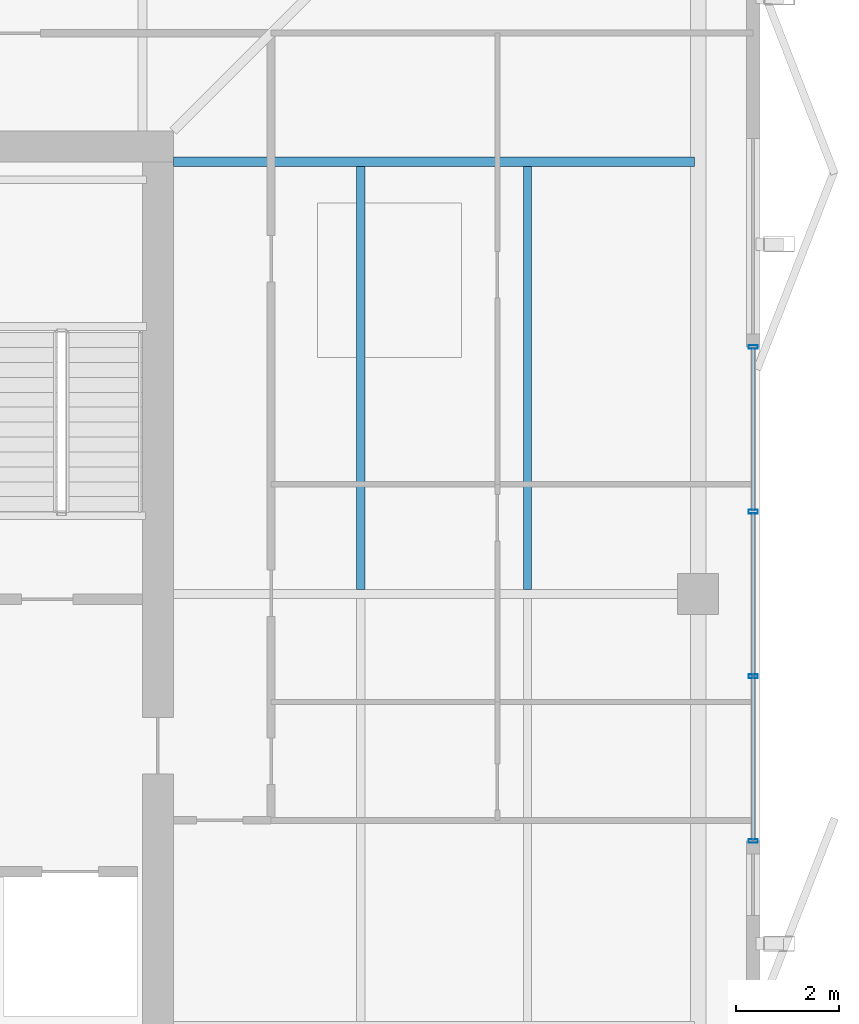
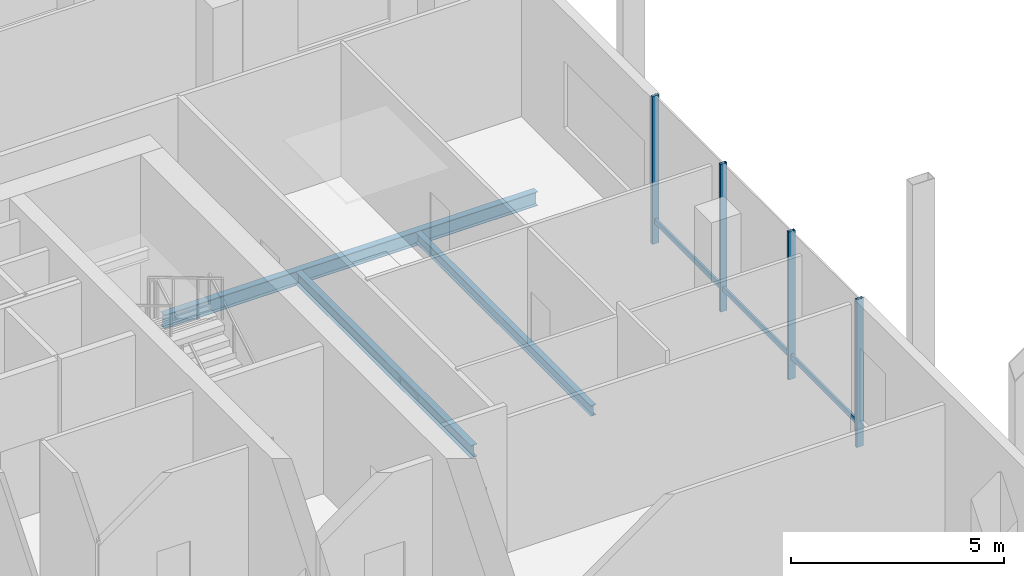
# One storey, part 7 of 15: 7 members, 3 beams, 1 element without a shape of its own.
"""IFC4 building model written with IfcOpenShell, lengths in metres."""

from ifc_helpers import new_model, si_unit, direction, frame, origin, origin_2d, place, context, subcontext, project, spatial, hollow_rectangle, i_section, extrude, material, layer, layer_set, material_profile, profile_set, type_object, element, aggregate, save


model = new_model("IFC4")

# Units and contexts
model_context = context("Model", 3, precision=1e-05, world=origin(), true_north=direction((0.0, 1.0)))
body_context = subcontext(model_context, "Body", "Model", "MODEL_VIEW")
ifc_project = project(units=[si_unit("LENGTHUNIT", "METRE"), si_unit("AREAUNIT", "SQUARE_METRE"), si_unit("VOLUMEUNIT", "CUBIC_METRE"), si_unit("PLANEANGLEUNIT", "RADIAN"), si_unit("MASSUNIT", "GRAM", prefix="KILO")], contexts=[model_context])

# Site, building, storey
site_placement = place(None, origin())
site = spatial("IfcSite", under=ifc_project, at=site_placement, CompositionType="ELEMENT")
building_placement = place(site_placement, origin())
building = spatial("IfcBuilding", under=site, at=building_placement, Name="Belovzor Exchange Tower", CompositionType="ELEMENT")
storey_placement = place(building_placement, frame((0.0, 0.0, 360.0)))
storey = spatial("IfcBuildingStorey", under=building, at=storey_placement, Name="L90", CompositionType="ELEMENT", Elevation=360.0)

# Beams
ifc_material_1 = material(Name="Steel S355", Category="steel")
ifc_material_profile_1 = material_profile(ifc_material_1, i_section(OverallWidth=0.169921875, OverallDepth=0.360107421875, WebThickness=0.008056640625, FlangeThickness=0.0126953125, at=origin_2d()))
ifc_profile_set_1 = profile_set([ifc_material_profile_1], Name="Steel S355")
beam_type_1 = type_object("IfcBeamType", Name="Secondary Infill Floor Joist IPE 360", PredefinedType="BEAM", material=ifc_profile_set_1)
beam_1_placement = place(storey_placement, frame((41.445068359375, 28.889892578125, -0.43994140625), z_axis=(0.0, 1.0, 0.0), x_axis=(-1.0, 0.0, 0.0)))
element("IfcBeam", 1, at=beam_1_placement, inside=storey, type_object=beam_type_1, Name="FJ-360 Secondary Infill Floor Joist IPE 360", PredefinedType="BEAM", context=body_context, shape_type="SweptSolid", body=[
    extrude(i_section(OverallWidth=0.169921875, OverallDepth=0.360107421875, WebThickness=0.008056640625, FlangeThickness=0.0126953125, at=origin_2d()), origin(), (0.0, 0.0, 1.0), 8.22021484375),
])
ifc_material_2 = material(Name="Steel S355", Category="steel")
ifc_material_profile_2 = material_profile(ifc_material_2, i_section(OverallWidth=0.14990234375, OverallDepth=0.300048828125, WebThickness=0.007080078125, FlangeThickness=0.0107421875, at=origin_2d()))
ifc_profile_set_2 = profile_set([ifc_material_profile_2], Name="Steel S355")
beam_type_2 = type_object("IfcBeamType", Name="Secondary Trim Floor Joist IPE 300", PredefinedType="BEAM", material=ifc_profile_set_2)
beam_2_placement = place(storey_placement, frame((44.68505859375, 28.889892578125, -0.409912109375), z_axis=(0.0, 1.0, 0.0), x_axis=(-1.0, 0.0, 0.0)))
element("IfcBeam", 2, at=beam_2_placement, inside=storey, type_object=beam_type_2, Name="FJ-300 Secondary Trim Floor Joist IPE 300", PredefinedType="BEAM", context=body_context, shape_type="SweptSolid", body=[
    extrude(i_section(OverallWidth=0.14990234375, OverallDepth=0.300048828125, WebThickness=0.007080078125, FlangeThickness=0.0107421875, at=origin_2d()), origin(), (0.0, 0.0, 1.0), 8.22021484375),
])

# Curtain wall, members
ifc_material_3 = material(Name="Anodised Aluminium Framing", Category="aluminium")
ifc_layer = layer(ifc_material_3, 0.169921875)
ifc_layer_set = layer_set([ifc_layer], Name="Anodised Aluminium Framing")
curtain_wall_type = type_object("IfcCurtainWallType", Name="Stepped Crown Faceted Lantern Curtain Wall", PredefinedType="NOTDEFINED", material=ifc_layer_set)
curtain_wall_placement = place(storey_placement, origin())
curtain_wall = element("IfcCurtainWall", 3, at=curtain_wall_placement, inside=storey, type_object=curtain_wall_type, Name="CW6 Stepped Crown Faceted Lantern Curtain Wall L90", PredefinedType="NOTDEFINED")
ifc_material_4 = material(Name="Steel S355", Category="steel")
ifc_material_profile_3 = material_profile(ifc_material_4, hollow_rectangle(XDim=0.074951171875, YDim=0.179931640625, WallThickness=0.0048828125, at=origin_2d()))
ifc_profile_set_3 = profile_set([ifc_material_profile_3], Name="Steel S355")
member_type_1 = type_object("IfcMemberType", Name="Thermally Broken Curtain Wall Mullion 180x75", PredefinedType="MULLION", material=ifc_profile_set_3)
member_1_placement = place(storey_placement, frame((49.070068359375, 33.60009765625, 0.0), z_axis=(0.0, 0.0, 1.0), x_axis=(0.0, -1.0, 0.0)))
member_1 = element("IfcMember", 4, at=member_1_placement, type_object=member_type_1, Name="CW-M180 Curtain Wall Mullion 1", PredefinedType="MULLION", context=body_context, shape_type="SweptSolid", body=[
    extrude(hollow_rectangle(XDim=0.074951171875, YDim=0.179931640625, WallThickness=0.0048828125, at=origin_2d()), origin(), (0.0, 0.0, 1.0), 4.239990234375),
])
member_2_placement = place(storey_placement, frame((49.070068359375, 30.39990234375, 0.0), z_axis=(0.0, 0.0, 1.0), x_axis=(0.0, -1.0, 0.0)))
member_2 = element("IfcMember", 5, at=member_2_placement, type_object=member_type_1, Name="CW-M180 Curtain Wall Mullion 2", PredefinedType="MULLION", context=body_context, shape_type="SweptSolid", body=[
    extrude(hollow_rectangle(XDim=0.074951171875, YDim=0.179931640625, WallThickness=0.0048828125, at=origin_2d()), origin(), (0.0, 0.0, 1.0), 4.239990234375),
])
member_3_placement = place(storey_placement, frame((49.070068359375, 27.199951171875, 0.0), z_axis=(0.0, 0.0, 1.0), x_axis=(0.0, -1.0, 0.0)))
member_3 = element("IfcMember", 6, at=member_3_placement, type_object=member_type_1, Name="CW-M180 Curtain Wall Mullion 3", PredefinedType="MULLION", context=body_context, shape_type="SweptSolid", body=[
    extrude(hollow_rectangle(XDim=0.074951171875, YDim=0.179931640625, WallThickness=0.0048828125, at=origin_2d()), origin(), (0.0, 0.0, 1.0), 4.239990234375),
])
member_4_placement = place(storey_placement, frame((49.070068359375, 24.0, 0.0), z_axis=(0.0, 0.0, 1.0), x_axis=(0.0, -1.0, 0.0)))
member_4 = element("IfcMember", 7, at=member_4_placement, type_object=member_type_1, Name="CW-M180 Curtain Wall Mullion 4", PredefinedType="MULLION", context=body_context, shape_type="SweptSolid", body=[
    extrude(hollow_rectangle(XDim=0.074951171875, YDim=0.179931640625, WallThickness=0.0048828125, at=origin_2d()), origin(), (0.0, 0.0, 1.0), 4.239990234375),
])
ifc_material_5 = material(Name="Steel S355", Category="steel")
ifc_material_profile_4 = material_profile(ifc_material_5, hollow_rectangle(XDim=0.06005859375, YDim=0.14990234375, WallThickness=0.00390625, at=origin_2d()))
ifc_profile_set_4 = profile_set([ifc_material_profile_4], Name="Steel S355")
member_type_2 = type_object("IfcMemberType", Name="Thermally Broken Curtain Wall Transom 150x60", PredefinedType="USERDEFINED", material=ifc_profile_set_4)
member_5_placement = place(storey_placement, frame((49.070068359375, 33.592041015625, 0.64990234375), z_axis=(0.0, -1.0, 0.0), x_axis=(1.0, 0.0, 0.0)))
member_5 = element("IfcMember", 8, at=member_5_placement, type_object=member_type_2, Name="CW-T150 Curtain Wall Transom 1", ObjectType="TRANSOM", PredefinedType="USERDEFINED", context=body_context, shape_type="SweptSolid", body=[
    extrude(hollow_rectangle(XDim=0.06005859375, YDim=0.14990234375, WallThickness=0.00390625, at=origin_2d()), origin(), (0.0, 0.0, 1.0), 3.18408203125),
])
member_6_placement = place(storey_placement, frame((49.070068359375, 30.39208984375, 0.64990234375), z_axis=(0.0, -1.0, 0.0), x_axis=(1.0, 0.0, 0.0)))
member_6 = element("IfcMember", 9, at=member_6_placement, type_object=member_type_2, Name="CW-T150 Curtain Wall Transom 2", ObjectType="TRANSOM", PredefinedType="USERDEFINED", context=body_context, shape_type="SweptSolid", body=[
    extrude(hollow_rectangle(XDim=0.06005859375, YDim=0.14990234375, WallThickness=0.00390625, at=origin_2d()), origin(), (0.0, 0.0, 1.0), 3.18408203125),
])
member_7_placement = place(storey_placement, frame((49.070068359375, 27.19189453125, 0.64990234375), z_axis=(0.0, -1.0, 0.0), x_axis=(1.0, 0.0, 0.0)))
member_7 = element("IfcMember", 10, at=member_7_placement, type_object=member_type_2, Name="CW-T150 Curtain Wall Transom 3", ObjectType="TRANSOM", PredefinedType="USERDEFINED", context=body_context, shape_type="SweptSolid", body=[
    extrude(hollow_rectangle(XDim=0.06005859375, YDim=0.14990234375, WallThickness=0.00390625, at=origin_2d()), origin(), (0.0, 0.0, 1.0), 3.183837890625),
])
aggregate(curtain_wall, [member_1, member_2, member_3, member_4, member_5, member_6, member_7])

# Beam
ifc_material_6 = material(Name="Steel S355", Category="steel")
ifc_material_profile_5 = material_profile(ifc_material_6, i_section(OverallWidth=0.179931640625, OverallDepth=0.39990234375, WebThickness=0.008544921875, FlangeThickness=0.013427734375, at=origin_2d()))
ifc_profile_set_5 = profile_set([ifc_material_profile_5], Name="Steel S355")
beam_type_3 = type_object("IfcBeamType", Name="Zone 5-6 Radial Composite Floor Beam IPE 400", PredefinedType="BEAM", material=ifc_profile_set_5)
beam_3_placement = place(storey_placement, frame((37.800048828125, 37.199951171875, -0.4599609375), z_axis=(1.0, 0.0, 0.0), x_axis=(0.0, 1.0, 0.0)))
element("IfcBeam", 11, at=beam_3_placement, inside=storey, type_object=beam_type_3, Name="FB-400 Zone 5-6 Radial Composite Floor Beam IPE 400", PredefinedType="BEAM", context=body_context, shape_type="SweptSolid", body=[
    extrude(i_section(OverallWidth=0.179931640625, OverallDepth=0.39990234375, WebThickness=0.008544921875, FlangeThickness=0.013427734375, at=origin_2d()), origin(), (0.0, 0.0, 1.0), 10.125),
])

save(model, "model.ifc")
